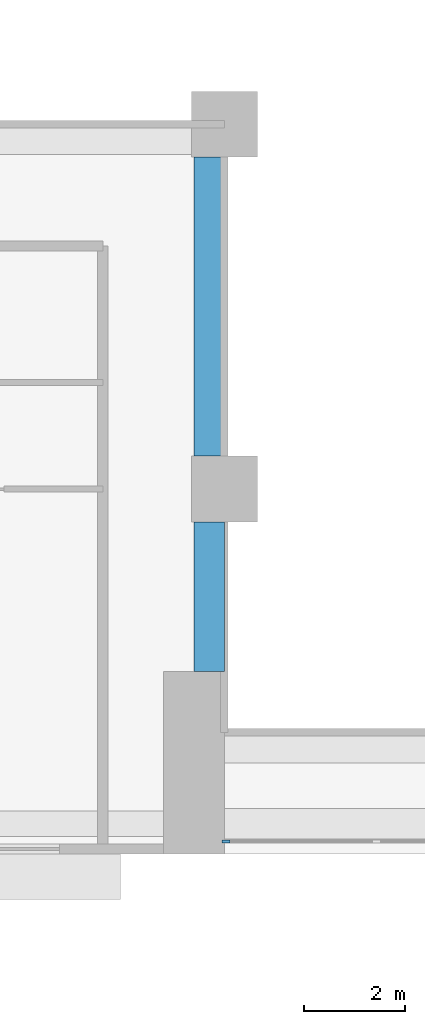
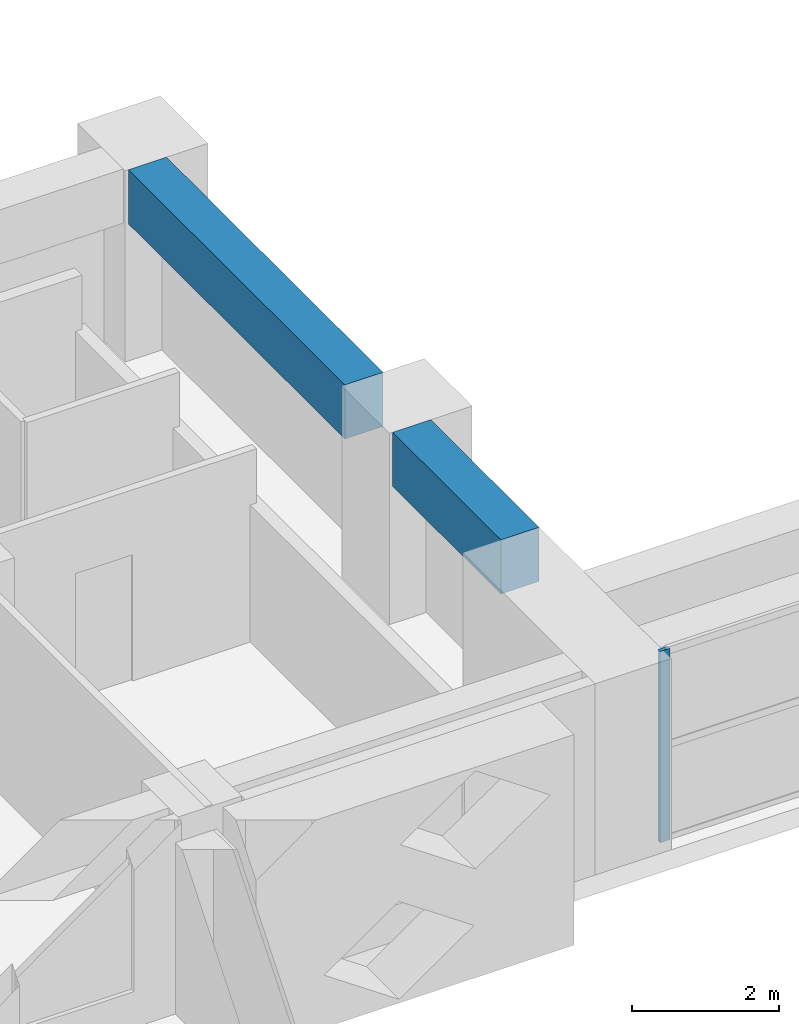
# One storey, part 2 of 16: 2 beams, 1 member, 1 element without a shape of its own.
"""IFC4 building model written with IfcOpenShell, lengths in metres."""

import ifcopenshell
import ifcopenshell.guid

model = None  # the IFC model being written
_history = None  # IfcOwnerHistory: only IFC2X3 demands one
_inside = {}  # id of a spatial element -> (the spatial element, [elements in it])
_under = {}  # id of a project, library or spatial element -> (it, [spatial elements below it])
_declared = {}  # id of a project -> (the project, [libraries it declares])
_typed = {}  # id of a type object -> (the type object, [elements of that type])
_made_of = {}  # id of a material, layer set ... -> (it, [elements and type objects made of it])


def new_model(schema):
    """Start an empty IFC model of exactly this schema.

    Asked for "IFC4X3", IfcOpenShell would pick the latest addendum, in which some entities
    have other attributes; the version numbers below select the first issue.
    IFC2X3 requires an IfcOwnerHistory on every rooted entity: one is made here for all.
    """
    global model, _history
    if schema == "IFC4X3":
        model = ifcopenshell.file(schema_version=(4, 3, 0, 0))
    else:
        model = ifcopenshell.file(schema=schema)
    _inside.clear()
    _under.clear()
    _declared.clear()
    _typed.clear()
    _made_of.clear()
    _history = None
    if model.schema == "IFC2X3":
        org = make("IfcOrganization", Name="unknown")
        user = make(
            "IfcPersonAndOrganization",
            ThePerson=make("IfcPerson", FamilyName="unknown"),
            TheOrganization=org,
        )
        app = make(
            "IfcApplication",
            ApplicationDeveloper=org,
            Version="unknown",
            ApplicationFullName="unknown",
            ApplicationIdentifier="unknown",
        )
        _history = make(
            "IfcOwnerHistory",
            OwningUser=user,
            OwningApplication=app,
            ChangeAction="ADDED",
            CreationDate=0,
        )
    return model


def make(cls, **values):
    """One entity of the class cls with the attributes given. An attribute that is None is left unset."""
    return model.create_entity(
        cls, **{name: value for name, value in values.items() if value is not None}
    )


def rooted(cls, **values):
    """An entity with a GlobalId (a new one), such as an element, a storey or a relation."""
    return make(cls, GlobalId=ifcopenshell.guid.new(), OwnerHistory=_history, **values)


def si_unit(unit_type, name, prefix=None):
    """IfcSIUnit, for example si_unit("LENGTHUNIT", "METRE", prefix="MILLI")."""
    return make("IfcSIUnit", UnitType=unit_type, Prefix=prefix, Name=name)


def assignment(units):
    """IfcUnitAssignment: the units of a project."""
    return None if units is None else make("IfcUnitAssignment", Units=units)


def point(xyz):
    """IfcCartesianPoint."""
    return None if xyz is None else make("IfcCartesianPoint", Coordinates=xyz)


def direction(xyz):
    """IfcDirection."""
    return None if xyz is None else make("IfcDirection", DirectionRatios=xyz)


def frame(location, z_axis=None, x_axis=None):
    """IfcAxis2Placement3D, a coordinate frame: its origin and axes. An axis left out is left unset."""
    return make(
        "IfcAxis2Placement3D",
        Location=point(location),
        Axis=direction(z_axis),
        RefDirection=direction(x_axis),
    )


def frame_2d(location, x_axis=None):
    """IfcAxis2Placement2D, a coordinate frame in the plane: its origin and x axis."""
    return make(
        "IfcAxis2Placement2D", Location=point(location), RefDirection=direction(x_axis)
    )


def origin():
    """The frame at (0, 0, 0) with its axes left unset."""
    return frame((0.0, 0.0, 0.0))


def origin_2d():
    """The frame at (0, 0) in the plane with its x axis left unset."""
    return frame_2d((0.0, 0.0))


def place(relative_to, where):
    """IfcLocalPlacement: puts the frame where relative to a parent placement (None: the world)."""
    return make(
        "IfcLocalPlacement", PlacementRelTo=relative_to, RelativePlacement=where
    )


def context(
    kind, dimensions, precision=None, world=None, true_north=None, identifier=None
):
    """IfcGeometricRepresentationContext, for example the 3D "Model" context."""
    return make(
        "IfcGeometricRepresentationContext",
        ContextIdentifier=identifier,
        ContextType=kind,
        CoordinateSpaceDimension=dimensions,
        Precision=precision,
        WorldCoordinateSystem=world,
        TrueNorth=true_north,
    )


def subcontext(parent, identifier, kind, view, scale=None):
    """IfcGeometricRepresentationSubContext, for example "Body" below "Model"."""
    return make(
        "IfcGeometricRepresentationSubContext",
        ContextIdentifier=identifier,
        ContextType=kind,
        ParentContext=parent,
        TargetScale=scale,
        TargetView=view,
    )


def project(units=None, contexts=None):
    """IfcProject with its units and contexts."""
    return rooted(
        "IfcProject",
        Name="project",
        RepresentationContexts=contexts,
        UnitsInContext=assignment(units),
    )


def spatial(cls, under=None, at=None, **own):
    """A site, building, storey or space (cls), placed at a placement, below another one or the project."""
    s = rooted(cls, ObjectPlacement=at, **own)
    if under is not None:
        _under.setdefault(under.id(), (under, []))[1].append(s)
    return s


def profile(cls, at=None, kind="AREA", **sizes):
    """A parametric profile (cls). Its sizes go by their IFC names, for example OverallWidth=200.0."""
    return make(cls, ProfileType=kind, Position=at, **sizes)


def rectangle(**sizes):
    """IfcRectangleProfileDef."""
    return profile("IfcRectangleProfileDef", **sizes)


def extrude(swept, where, along, depth):
    """IfcExtrudedAreaSolid: the profile swept, set in the frame where, extruded along a direction by depth."""
    return make(
        "IfcExtrudedAreaSolid",
        SweptArea=swept,
        Position=where,
        ExtrudedDirection=direction(along),
        Depth=depth,
    )


def shape(context_of_items, identifier, shape_type, items):
    """IfcShapeRepresentation: the items that make up one representation, for example the "Body"."""
    return make(
        "IfcShapeRepresentation",
        ContextOfItems=context_of_items,
        RepresentationIdentifier=identifier,
        RepresentationType=shape_type,
        Items=items,
    )


def source(mapping_origin, context_of_items, identifier, shape_type, items):
    """IfcRepresentationMap: a shape defined once, which mapped items show again and again."""
    return make(
        "IfcRepresentationMap",
        MappingOrigin=mapping_origin,
        MappedRepresentation=shape(context_of_items, identifier, shape_type, items),
    )


def transform(
    local_origin,
    x_axis=None,
    y_axis=None,
    z_axis=None,
    scale=None,
    scale2=None,
    scale3=None,
    uniform=True,
):
    """IfcCartesianTransformationOperator3D, or its non-uniform kind. x_axis, y_axis, z_axis: its Axis1, 2, 3."""
    if uniform:
        return make(
            "IfcCartesianTransformationOperator3D",
            Axis1=direction(x_axis),
            Axis2=direction(y_axis),
            LocalOrigin=point(local_origin),
            Scale=scale,
            Axis3=direction(z_axis),
        )
    return make(
        "IfcCartesianTransformationOperator3DnonUniform",
        Axis1=direction(x_axis),
        Axis2=direction(y_axis),
        LocalOrigin=point(local_origin),
        Scale=scale,
        Axis3=direction(z_axis),
        Scale2=scale2,
        Scale3=scale3,
    )


def mapped(mapping_source, mapping_target):
    """IfcMappedItem: shows the shape of a source again, moved by a transform."""
    return make(
        "IfcMappedItem", MappingSource=mapping_source, MappingTarget=mapping_target
    )


def material(Name=None, Category=None):
    """IfcMaterial."""
    return make("IfcMaterial", Name=Name, Category=Category)


def layer(
    of_material, thickness, ventilated=None, Name=None, Category=None, Priority=None
):
    """IfcMaterialLayer: one layer of a wall or slab, of a material (None: an air gap)."""
    return make(
        "IfcMaterialLayer",
        Material=of_material,
        LayerThickness=thickness,
        IsVentilated=ventilated,
        Name=Name,
        Category=Category,
        Priority=Priority,
    )


def layer_set(layers, Name=None):
    """IfcMaterialLayerSet."""
    return make("IfcMaterialLayerSet", MaterialLayers=layers, LayerSetName=Name)


def material_profile(
    of_material, cross_section, Name=None, Category=None, Priority=None
):
    """IfcMaterialProfile: a cross section and its material."""
    return make(
        "IfcMaterialProfile",
        Name=Name,
        Material=of_material,
        Profile=cross_section,
        Priority=Priority,
        Category=Category,
    )


def profile_set(profiles, Name=None, composite=None):
    """IfcMaterialProfileSet."""
    return make(
        "IfcMaterialProfileSet",
        Name=Name,
        MaterialProfiles=profiles,
        CompositeProfile=composite,
    )


def made_of(thing, what):
    """Note that an element or type object is made of a material, layer set ...; save() writes the relation."""
    if what is not None:
        _made_of.setdefault(what.id(), (what, []))[1].append(thing)
    return thing


def type_object(cls, material=None, **own):
    """A type object (cls), such as IfcWallType, which elements share."""
    return made_of(rooted(cls, **own), material)


def element(
    cls,
    number,
    at=None,
    inside=None,
    cuts=None,
    type_object=None,
    material=None,
    context=None,
    identifier="Body",
    shape_type=None,
    held_by="IfcProductDefinitionShape",
    body=None,
    shapes=None,
    **own,
):
    """One element of the class cls, such as IfcWall. Its Tag is "e" and its number.

    at: its placement. inside: the storey or other place that contains it. cuts: it is an
    opening in that element (IfcRelVoidsElement). A single representation is given by context,
    identifier, shape_type and body (its items); several are given by shapes. held_by: the class
    of the entity that holds the representations. save() writes the other relations.
    """
    e = rooted(cls, Tag="e%d" % number, ObjectPlacement=at, **own)
    if body is not None:
        shapes = [shape(context, identifier, shape_type, body)]
    if shapes is not None:
        e.Representation = make(held_by, Representations=shapes)
    if inside is not None:
        _inside.setdefault(inside.id(), (inside, []))[1].append(e)
    if cuts is not None:
        rooted(
            "IfcRelVoidsElement", RelatingBuildingElement=cuts, RelatedOpeningElement=e
        )
    if type_object is not None:
        _typed.setdefault(type_object.id(), (type_object, []))[1].append(e)
    return made_of(e, material)


def aggregate(whole, parts):
    """IfcRelAggregates: a whole, such as a stair, and the parts it consists of."""
    return rooted("IfcRelAggregates", RelatingObject=whole, RelatedObjects=parts)


def save(model, path):
    """Write the relations noted so far, then the file.

    IfcRelAggregates (storeys below a building ...), IfcRelContainedInSpatialStructure (elements
    in a storey), IfcRelDefinesByType, IfcRelAssociatesMaterial and IfcRelDeclares: one each for
    every whole, place, type object, material and project.
    """
    for whole, parts in _under.values():
        aggregate(whole, parts)
    for where, things in _inside.values():
        rooted(
            "IfcRelContainedInSpatialStructure",
            RelatedElements=things,
            RelatingStructure=where,
        )
    for kind, things in _typed.values():
        rooted("IfcRelDefinesByType", RelatedObjects=things, RelatingType=kind)
    for what, things in _made_of.values():
        rooted("IfcRelAssociatesMaterial", RelatedObjects=things, RelatingMaterial=what)
    for by, libraries in _declared.values():
        rooted("IfcRelDeclares", RelatingContext=by, RelatedDefinitions=libraries)
    model.write(path)


model = new_model("IFC4")

# Units and contexts
model_context = context("Model", 3, precision=1e-05, world=origin(), true_north=direction((0.0, 1.0)))
body_context = subcontext(model_context, "Body", "Model", "MODEL_VIEW")
ifc_project = project(units=[si_unit("LENGTHUNIT", "METRE"), si_unit("AREAUNIT", "SQUARE_METRE"), si_unit("VOLUMEUNIT", "CUBIC_METRE"), si_unit("PLANEANGLEUNIT", "RADIAN"), si_unit("MASSUNIT", "GRAM", prefix="KILO")], contexts=[model_context])

# Site, building, storey
site_placement = place(None, origin())
site = spatial("IfcSite", under=ifc_project, at=site_placement, CompositionType="ELEMENT")
building_placement = place(site_placement, origin())
building = spatial("IfcBuilding", under=site, at=building_placement, Name="Saffron Iwan Residences", CompositionType="ELEMENT")
storey_placement = place(building_placement, frame((0.0, 0.0, 83.0)))
storey = spatial("IfcBuildingStorey", under=building, at=storey_placement, Name="L21", CompositionType="ELEMENT", Elevation=83.0)

# Beams
ifc_material_1 = material(Name="Concrete C60/75", Category="concrete")
ifc_material_profile_1 = material_profile(ifc_material_1, rectangle(XDim=0.60009765625, YDim=0.89990234375, at=origin_2d()), Name="RC 600x900")
ifc_profile_set_1 = profile_set([ifc_material_profile_1], Name="Concrete C60/75")
beam_type = type_object("IfcBeamType", Name="BEAM RC 600x900 C60/75 TOP 3180", PredefinedType="BEAM", material=ifc_profile_set_1)
shared_shape_1 = source(origin(), body_context, "Body", "SweptSolid", [
    extrude(rectangle(XDim=0.60009765625, YDim=0.89990234375, at=origin_2d()), origin(), (0.0, 0.0, 1.0), 2.949951171875),
])
beam_1_placement = place(storey_placement, frame((42.89990234375, 37.199951171875, 2.72998046875), z_axis=(0.0, 1.0, 0.0), x_axis=(-1.0, 0.0, 0.0)))
element("IfcBeam", 1, at=beam_1_placement, inside=storey, type_object=beam_type, Name="Atrium edge beam", PredefinedType="BEAM", context=body_context, shape_type="MappedRepresentation", body=[
    mapped(shared_shape_1, transform((0.0, 0.0, 0.0))),
])
shared_shape_2 = source(origin(), body_context, "Body", "SweptSolid", [
    extrude(rectangle(XDim=0.60009765625, YDim=0.89990234375, at=origin_2d()), origin(), (0.0, 0.0, 1.0), 5.900146484375),
])
beam_2_placement = place(storey_placement, frame((42.89990234375, 41.449951171875, 2.72998046875), z_axis=(0.0, 1.0, 0.0), x_axis=(-1.0, 0.0, 0.0)))
element("IfcBeam", 2, at=beam_2_placement, inside=storey, type_object=beam_type, Name="Atrium edge beam", PredefinedType="BEAM", context=body_context, shape_type="MappedRepresentation", body=[
    mapped(shared_shape_2, transform((0.0, 0.0, 0.0))),
])

# Curtain wall, member
ifc_material_2 = material(Name="Clear glass, laminated double glazed", Category="glass")
ifc_layer = layer(ifc_material_2, 0.199951171875)
ifc_layer_set = layer_set([ifc_layer], Name="Clear glass, laminated double glazed")
curtain_wall_type = type_object("IfcCurtainWallType", Name="CW-B IWAN PORTAL", PredefinedType="NOTDEFINED", material=ifc_layer_set)
curtain_wall_placement = place(storey_placement, origin())
curtain_wall = element("IfcCurtainWall", 3, at=curtain_wall_placement, inside=storey, type_object=curtain_wall_type, Name="Iwan portal glazing L21.1", PredefinedType="NOTDEFINED")
ifc_material_3 = material(Name="Aluminium 6063-T6", Category="aluminium")
ifc_material_profile_2 = material_profile(ifc_material_3, rectangle(XDim=0.06005859375, YDim=0.159912109375, at=origin_2d()), Name="CW-B MULLION 60 x 160")
ifc_profile_set_2 = profile_set([ifc_material_profile_2], Name="Aluminium 6063-T6")
member_type = type_object("IfcMemberType", Name="CW-B MULLION 60 x 160", PredefinedType="MULLION", material=ifc_profile_set_2)
shared_shape_3 = source(origin(), body_context, "Body", "SweptSolid", [
    extrude(rectangle(XDim=0.06005859375, YDim=0.159912109375, at=origin_2d()), origin(), (0.0, 0.0, 1.0), 3.179931640625),
])
member_placement = place(storey_placement, frame((43.22998046875, 33.85009765625, 0.0), z_axis=(0.0, 0.0, 1.0), x_axis=(0.0, 1.0, 0.0)))
member = element("IfcMember", 4, at=member_placement, type_object=member_type, Name="CW-B mullion 1", PredefinedType="MULLION", context=body_context, shape_type="MappedRepresentation", body=[
    mapped(shared_shape_3, transform((0.0, 0.0, 0.0))),
])
aggregate(curtain_wall, [member])

save(model, "model.ifc")
